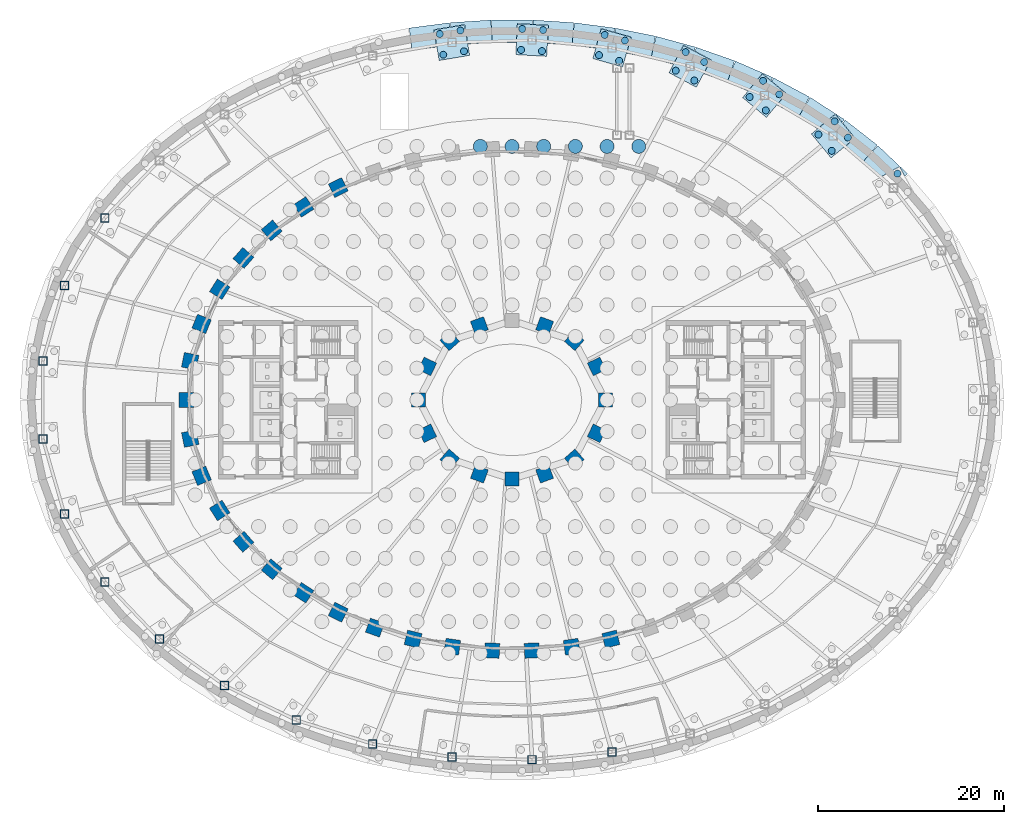
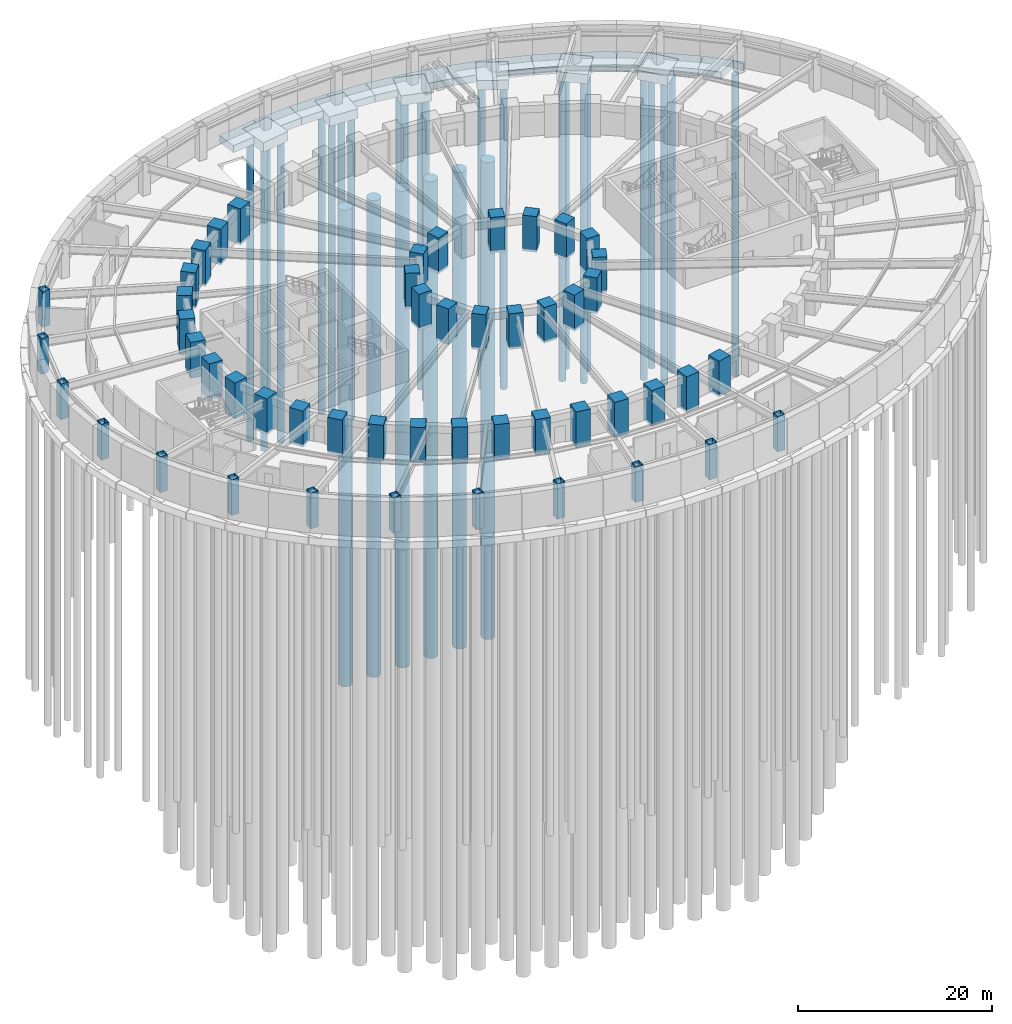
# One storey, part 5 of 19: 50 columns, 31 piles, 19 footings.
"""IFC4 building model written with IfcOpenShell, lengths in metres."""

from ifc_helpers import new_model, si_unit, direction, frame, origin, origin_2d, place, context, subcontext, project, spatial, polyline, rectangle, hollow_rectangle, circle, outline, extrude, material, layer, layer_set, material_profile, profile_set, type_object, element, save


model = new_model("IFC4")

# Units and contexts
model_context = context("Model", 3, precision=1e-05, world=origin(), true_north=direction((0.0, 1.0)))
body_context = subcontext(model_context, "Body", "Model", "MODEL_VIEW")
ifc_project = project(units=[si_unit("LENGTHUNIT", "METRE"), si_unit("AREAUNIT", "SQUARE_METRE"), si_unit("VOLUMEUNIT", "CUBIC_METRE"), si_unit("PLANEANGLEUNIT", "RADIAN"), si_unit("MASSUNIT", "GRAM", prefix="KILO")], contexts=[model_context])

# Site, building, storey
site_placement = place(None, origin())
site = spatial("IfcSite", under=ifc_project, at=site_placement, CompositionType="ELEMENT")
building_placement = place(site_placement, origin())
building = spatial("IfcBuilding", under=site, at=building_placement, Name="Noorbagh Ring Tower", CompositionType="ELEMENT")
storey_placement = place(building_placement, frame((0.0, 0.0, -8.39990234375)))
storey = spatial("IfcBuildingStorey", under=building, at=storey_placement, Name="B2", CompositionType="ELEMENT", Elevation=-8.39990234375)

# Footings
ifc_material_1 = material(Name="Concrete C50/60", Category="concrete")
ifc_layer_1 = layer(ifc_material_1, 1.199951171875)
ifc_layer_set_1 = layer_set([ifc_layer_1], Name="Concrete C50/60")
footing_type_1 = type_object("IfcFootingType", Name="GND-PODIUM-CAP", PredefinedType="PILE_CAP", material=ifc_layer_set_1)
footing_1_placement = place(storey_placement, frame((0.0, 0.0, -1.5)))
element("IfcFooting", 1, at=footing_1_placement, inside=storey, type_object=footing_type_1, Name="B2/cap/RP-05", PredefinedType="PILE_CAP", context=body_context, shape_type="SweptSolid", body=[
    extrude(outline(polyline([(34.235595703125, 25.970458984375), (36.80126953125, 28.07763671875), (34.694091796875, 30.643310546875), (32.12841796875, 28.5361328125), (34.235595703125, 25.970458984375)])), origin(), (0.0, 0.0, 1.0), 1.199951171875),
])
footing_2_placement = place(storey_placement, frame((0.0, 0.0, -1.5)))
element("IfcFooting", 2, at=footing_2_placement, inside=storey, type_object=footing_type_1, Name="B2/cap/RP-06", PredefinedType="PILE_CAP", context=body_context, shape_type="SweptSolid", body=[
    extrude(outline(polyline([(27.304443359375, 30.310791015625), (29.42431640625, 32.86572265625), (26.869140625, 34.985595703125), (24.749267578125, 32.430419921875), (27.304443359375, 30.310791015625)])), origin(), (0.0, 0.0, 1.0), 1.199951171875),
])
footing_3_placement = place(storey_placement, frame((0.0, 0.0, -1.5)))
element("IfcFooting", 3, at=footing_3_placement, inside=storey, type_object=footing_type_1, Name="B2/cap/RP-07", PredefinedType="PILE_CAP", context=body_context, shape_type="SweptSolid", body=[
    extrude(outline(polyline([(19.77978515625, 33.545654296875), (21.342529296875, 36.474853515625), (18.41357421875, 38.037841796875), (16.8505859375, 35.108642578125), (19.77978515625, 33.545654296875)])), origin(), (0.0, 0.0, 1.0), 1.199951171875),
])
footing_4_placement = place(storey_placement, frame((0.0, 0.0, -1.5)))
element("IfcFooting", 4, at=footing_4_placement, inside=storey, type_object=footing_type_1, Name="B2/cap/RP-08", PredefinedType="PILE_CAP", context=body_context, shape_type="SweptSolid", body=[
    extrude(outline(polyline([(11.8681640625, 35.720947265625), (12.77490234375, 38.914794921875), (9.5810546875, 39.821533203125), (8.67431640625, 36.627685546875), (11.8681640625, 35.720947265625)])), origin(), (0.0, 0.0, 1.0), 1.199951171875),
])
footing_5_placement = place(storey_placement, frame((0.0, 0.0, -1.5)))
element("IfcFooting", 5, at=footing_5_placement, inside=storey, type_object=footing_type_1, Name="B2/cap/RP-09", PredefinedType="PILE_CAP", context=body_context, shape_type="SweptSolid", body=[
    extrude(outline(polyline([(3.719482421875, 36.8642578125), (3.904541015625, 40.17919921875), (0.589599609375, 40.364013671875), (0.404541015625, 37.04931640625), (3.719482421875, 36.8642578125)])), origin(), (0.0, 0.0, 1.0), 1.199951171875),
])
footing_6_placement = place(storey_placement, frame((0.0, 0.0, -1.5)))
element("IfcFooting", 6, at=footing_6_placement, inside=storey, type_object=footing_type_1, Name="B2/cap/RP-10", PredefinedType="PILE_CAP", context=body_context, shape_type="SweptSolid", body=[
    extrude(outline(polyline([(-4.54150390625, 36.97216796875), (-5.0927734375, 40.24609375), (-8.36669921875, 39.695068359375), (-7.8154296875, 36.421142578125), (-4.54150390625, 36.97216796875)])), origin(), (0.0, 0.0, 1.0), 1.199951171875),
])

# Piles
ifc_material_2 = material(Name="Concrete C50/60", Category="concrete")
ifc_material_profile_1 = material_profile(ifc_material_2, circle(Radius=0.375, at=origin_2d()), Name="PILE750")
ifc_profile_set_1 = profile_set([ifc_material_profile_1], Name="Concrete C50/60")
pile_type_1 = type_object("IfcPileType", Name="GND-PODIUM-PILE", PredefinedType="BORED", material=ifc_profile_set_1)
for number, where, z_axis, x_axis, name in (
    (7, (41.364501953125, 24.27978515625, -1.400146484375), (0.0, 0.0, -1.0), (1.0, 0.0, 0.0), "B2/pile/RP-04-4"),
    (8, (34.3095703125, 26.723388671875, -1.400146484375), (0.0, 0.0, -1.0), (1.0, 0.0, 0.0), "B2/pile/RP-05-1"),
    (9, (32.881591796875, 28.462158203125, -1.400146484375), (0.0, 0.0, -1.0), (1.0, 0.0, 0.0), "B2/pile/RP-05-2"),
    (10, (36.04833984375, 28.151611328125, -1.400146484375), (0.0, 0.0, -1.0), (1.0, 0.0, 0.0), "B2/pile/RP-05-3"),
    (11, (34.6201171875, 29.890380859375, -1.400146484375), (0.0, 0.0, -1.0), (1.0, 0.0, 0.0), "B2/pile/RP-05-4"),
    (12, (27.234375, 31.06396484375, -1.400146484375), (0.0, 0.0, -1.0), (1.0, 0.0, 0.0), "B2/pile/RP-06-1"),
    (13, (25.502685546875, 32.500732421875, -1.400146484375), (0.0, 0.0, -1.0), (1.0, 0.0, 0.0), "B2/pile/RP-06-2"),
    (14, (28.6708984375, 32.795654296875, -1.400146484375), (0.0, 0.0, -1.0), (1.0, 0.0, 0.0), "B2/pile/RP-06-3"),
    (15, (26.939453125, 34.232177734375, -1.400146484375), (0.0, 0.0, -1.0), (1.0, 0.0, 0.0), "B2/pile/RP-06-4"),
    (16, (19.5595703125, 34.26953125, -1.400146484375), (0.0, 0.0, -1.0), (1.0, 0.0, 0.0), "B2/pile/RP-07-1"),
    (17, (17.574462890625, 35.328857421875, -1.400146484375), (0.0, 0.0, -1.0), (1.0, 0.0, 0.0), "B2/pile/RP-07-2"),
    (18, (20.61865234375, 36.254638671875, -1.400146484375), (0.0, 0.0, -1.0), (1.0, 0.0, 0.0), "B2/pile/RP-07-3"),
    (19, (18.633544921875, 37.31396484375, -1.400146484375), (0.0, 0.0, -1.0), (1.0, 0.0, 0.0), "B2/pile/RP-07-4"),
    (20, (11.49951171875, 36.3818359375, -1.400146484375), (0.0, 0.0, -1.0), (1.0, 0.0, 0.0), "B2/pile/RP-08-1"),
    (21, (9.335205078125, 36.996337890625, -1.400146484375), (0.0, 0.0, -1.0), (1.0, 0.0, 0.0), "B2/pile/RP-08-2"),
    (22, (12.114013671875, 38.546142578125, -1.400146484375), (0.0, 0.0, -1.0), (1.0, 0.0, 0.0), "B2/pile/RP-08-3"),
    (23, (9.94970703125, 39.160888671875, -1.400146484375), (0.0, 0.0, -1.0), (1.0, 0.0, 0.0), "B2/pile/RP-08-4"),
    (24, (3.215087890625, 37.42822265625, -1.400146484375), (0.0, 0.0, -1.0), (1.0, 0.0, 0.0), "B2/pile/RP-09-1"),
    (25, (0.968505859375, 37.5537109375, -1.400146484375), (0.0, 0.0, -1.0), (1.0, 0.0, 0.0), "B2/pile/RP-09-2"),
    (26, (3.34033203125, 39.6748046875, -1.400146484375), (0.0, 0.0, -1.0), (1.0, 0.0, 0.0), "B2/pile/RP-09-3"),
    (27, (1.093994140625, 39.800048828125, -1.400146484375), (0.0, 0.0, -1.0), (1.0, 0.0, 0.0), "B2/pile/RP-09-4"),
    (28, (-5.157958984375, 37.410888671875, -1.400146484375), (0.0, 0.0, -1.0), (1.0, 0.0, 0.0), "B2/pile/RP-10-1"),
    (29, (-7.376708984375, 37.037353515625, -1.400146484375), (0.0, 0.0, -1.0), (1.0, 0.0, 0.0), "B2/pile/RP-10-2"),
    (30, (-5.531494140625, 39.6298828125, -1.400146484375), (0.0, 0.0, -1.0), (1.0, 0.0, 0.0), "B2/pile/RP-10-3"),
    (31, (-7.750244140625, 39.256103515625, -1.400146484375), (0.0, 0.0, -1.0), (1.0, 0.0, 0.0), "B2/pile/RP-10-4"),
):
    element("IfcPile", number, at=place(storey_placement, frame(where, z_axis=z_axis, x_axis=x_axis)), inside=storey, type_object=pile_type_1, Name=name, PredefinedType="BORED", context=body_context, shape_type="SweptSolid", body=[
        extrude(circle(Radius=0.375, at=origin_2d()), origin(), (0.0, 0.0, 1.0), 38.0),
    ])
ifc_material_3 = material(Name="Concrete C40/50", Category="concrete")
ifc_material_profile_2 = material_profile(ifc_material_3, circle(Radius=0.75, at=origin_2d()), Name="PILE1500")
ifc_profile_set_2 = profile_set([ifc_material_profile_2], Name="Concrete C40/50")
pile_type_2 = type_object("IfcPileType", Name="STR-PILE", PredefinedType="BORED", material=ifc_profile_set_2)
for number, where, z_axis, x_axis, name in (
    (32, (-3.39990234375, 27.199951171875, -4.2001953125), (0.0, 0.0, -1.0), (1.0, 0.0, 0.0), "B2/pile/097"),
    (33, (0.0, 27.199951171875, -4.2001953125), (0.0, 0.0, -1.0), (1.0, 0.0, 0.0), "B2/pile/109"),
    (34, (3.39990234375, 27.199951171875, -4.2001953125), (0.0, 0.0, -1.0), (1.0, 0.0, 0.0), "B2/pile/123"),
    (35, (6.800048828125, 27.199951171875, -4.2001953125), (0.0, 0.0, -1.0), (1.0, 0.0, 0.0), "B2/pile/137"),
    (36, (10.199951171875, 27.199951171875, -4.2001953125), (0.0, 0.0, -1.0), (1.0, 0.0, 0.0), "B2/pile/154"),
    (37, (13.60009765625, 27.199951171875, -4.2001953125), (0.0, 0.0, -1.0), (1.0, 0.0, 0.0), "B2/pile/171"),
):
    element("IfcPile", number, at=place(storey_placement, frame(where, z_axis=z_axis, x_axis=x_axis)), inside=storey, type_object=pile_type_2, Name=name, PredefinedType="BORED", context=body_context, shape_type="SweptSolid", body=[
        extrude(circle(Radius=0.75, at=origin_2d()), origin(), (0.0, 0.0, 1.0), 60.0),
    ])

# Footings
ifc_material_4 = material(Name="Concrete C40/50", Category="concrete")
ifc_layer_2 = layer(ifc_material_4, 0.89990234375)
ifc_layer_set_2 = layer_set([ifc_layer_2], Name="Concrete C40/50")
footing_type_2 = type_object("IfcFootingType", Name="STR-RETAINING-FOOTING", PredefinedType="STRIP_FOOTING", material=ifc_layer_set_2)
footing_7_placement = place(storey_placement, frame((0.0, 0.0, -1.2001953125)))
element("IfcFooting", 38, at=footing_7_placement, inside=storey, type_object=footing_type_2, Name="B2/footing/ret-07", PredefinedType="STRIP_FOOTING", context=body_context, shape_type="SweptSolid", body=[
    extrude(outline(polyline([(39.2783203125, 27.2724609375), (42.441650390625, 24.27734375), (42.163818359375, 23.984130859375), (41.589599609375, 25.01708984375), (41.588623046875, 25.018798828125), (41.58740234375, 25.020263671875), (41.586181640625, 25.021728515625), (41.584716796875, 25.02294921875), (41.5830078125, 25.024169921875), (41.581298828125, 25.025146484375), (41.57958984375, 25.02587890625), (41.57763671875, 25.026611328125), (41.57568359375, 25.027099609375), (41.57373046875, 25.02734375), (41.57177734375, 25.02734375), (41.56982421875, 25.027099609375), (41.56787109375, 25.02685546875), (41.566162109375, 25.0263671875), (41.564208984375, 25.025634765625), (41.5625, 25.02490234375), (39.41943359375, 23.833740234375), (37.628173828125, 25.529541015625), (39.2783203125, 27.2724609375)])), origin(), (0.0, 0.0, 1.0), 0.900146484375),
])
footing_8_placement = place(storey_placement, frame((0.0, 0.0, -1.2001953125)))
element("IfcFooting", 39, at=footing_8_placement, inside=storey, type_object=footing_type_2, Name="B2/footing/ret-08", PredefinedType="STRIP_FOOTING", context=body_context, shape_type="SweptSolid", body=[
    extrude(outline(polyline([(35.75390625, 30.0283203125), (39.191162109375, 27.34716796875), (37.715087890625, 25.45458984375), (35.62451171875, 27.085205078125), (36.81396484375, 28.062255859375), (36.8154296875, 28.0634765625), (36.816650390625, 28.06494140625), (36.81787109375, 28.066650390625), (36.81884765625, 28.068359375), (36.819580078125, 28.070068359375), (36.8203125, 28.072021484375), (36.82080078125, 28.07373046875), (36.821044921875, 28.07568359375), (36.8212890625, 28.07763671875), (36.821044921875, 28.07958984375), (36.82080078125, 28.08154296875), (36.8203125, 28.08349609375), (36.819580078125, 28.085205078125), (36.81884765625, 28.087158203125), (36.81787109375, 28.0888671875), (36.816650390625, 28.09033203125), (35.496337890625, 29.697998046875), (35.75390625, 30.0283203125)])), origin(), (0.0, 0.0, 1.0), 0.900146484375),
])
footing_9_placement = place(storey_placement, frame((0.0, 0.0, -1.2001953125)))
element("IfcFooting", 40, at=footing_9_placement, inside=storey, type_object=footing_type_2, Name="B2/footing/ret-09", PredefinedType="STRIP_FOOTING", context=body_context, shape_type="SweptSolid", body=[
    extrude(outline(polyline([(32.002685546875, 32.45654296875), (35.666748046875, 30.090087890625), (35.449951171875, 29.75439453125), (34.70947265625, 30.656005859375), (34.708251953125, 30.657470703125), (34.706787109375, 30.65869140625), (34.705078125, 30.659912109375), (34.70361328125, 30.660888671875), (34.70166015625, 30.66162109375), (34.699951171875, 30.662353515625), (34.697998046875, 30.662841796875), (34.696044921875, 30.6630859375), (34.694091796875, 30.663330078125), (34.692138671875, 30.6630859375), (34.690185546875, 30.662841796875), (34.688232421875, 30.662353515625), (34.686279296875, 30.66162109375), (34.6845703125, 30.660888671875), (34.682861328125, 30.659912109375), (34.681396484375, 30.65869140625), (32.7802734375, 29.097412109375), (30.700439453125, 30.4404296875), (32.002685546875, 32.45654296875)])), origin(), (0.0, 0.0, 1.0), 0.900146484375),
])
footing_10_placement = place(storey_placement, frame((0.0, 0.0, -1.2001953125)))
element("IfcFooting", 41, at=footing_10_placement, inside=storey, type_object=footing_type_2, Name="B2/footing/ret-10", PredefinedType="STRIP_FOOTING", context=body_context, shape_type="SweptSolid", body=[
    extrude(outline(polyline([(28.06640625, 34.5625), (31.91650390625, 32.507080078125), (30.78662109375, 30.389892578125), (28.436767578125, 31.644287109375), (29.439697265625, 32.85302734375), (29.44091796875, 32.8544921875), (29.44189453125, 32.856201171875), (29.44287109375, 32.85791015625), (29.443603515625, 32.85986328125), (29.44384765625, 32.86181640625), (29.444091796875, 32.86376953125), (29.4443359375, 32.86572265625), (29.4443359375, 32.86767578125), (29.444091796875, 32.86962890625), (29.443603515625, 32.87158203125), (29.44287109375, 32.873291015625), (29.44189453125, 32.875), (29.44091796875, 32.876708984375), (29.43994140625, 32.87841796875), (29.438720703125, 32.8798828125), (29.43701171875, 32.881103515625), (27.865234375, 34.185302734375), (28.06640625, 34.5625)])), origin(), (0.0, 0.0, 1.0), 0.900146484375),
])
footing_11_placement = place(storey_placement, frame((0.0, 0.0, -1.2001953125)))
element("IfcFooting", 42, at=footing_11_placement, inside=storey, type_object=footing_type_2, Name="B2/footing/ret-11", PredefinedType="STRIP_FOOTING", context=body_context, shape_type="SweptSolid", body=[
    extrude(outline(polyline([(23.981201171875, 36.351806640625), (27.98193359375, 34.603271484375), (27.81689453125, 34.2255859375), (26.882080078125, 35.0009765625), (26.88037109375, 35.002197265625), (26.87890625, 35.003173828125), (26.876953125, 35.004150390625), (26.875, 35.0048828125), (26.873291015625, 35.005126953125), (26.871337890625, 35.005615234375), (26.869384765625, 35.005615234375), (26.867431640625, 35.005615234375), (26.865478515625, 35.00537109375), (26.863525390625, 35.0048828125), (26.86181640625, 35.004150390625), (26.85986328125, 35.00341796875), (26.858154296875, 35.002197265625), (26.856689453125, 35.001220703125), (26.855224609375, 35.0), (26.853759765625, 34.998291015625), (25.318603515625, 33.148193359375), (23.02001953125, 34.152587890625), (23.981201171875, 36.351806640625)])), origin(), (0.0, 0.0, 1.0), 0.900146484375),
])
footing_12_placement = place(storey_placement, frame((0.0, 0.0, -1.2001953125)))
element("IfcFooting", 43, at=footing_12_placement, inside=storey, type_object=footing_type_2, Name="B2/footing/ret-12", PredefinedType="STRIP_FOOTING", context=body_context, shape_type="SweptSolid", body=[
    extrude(outline(polyline([(19.777099609375, 37.83154296875), (23.898193359375, 36.384521484375), (23.10302734375, 34.1201171875), (20.581298828125, 35.005615234375), (21.3603515625, 36.465576171875), (21.361083984375, 36.46728515625), (21.36181640625, 36.468994140625), (21.3623046875, 36.470947265625), (21.362548828125, 36.472900390625), (21.362548828125, 36.474853515625), (21.362548828125, 36.476806640625), (21.3623046875, 36.478759765625), (21.36181640625, 36.480712890625), (21.361083984375, 36.482666015625), (21.360107421875, 36.484375), (21.359130859375, 36.486083984375), (21.358154296875, 36.487548828125), (21.356689453125, 36.489013671875), (21.355224609375, 36.490478515625), (21.353759765625, 36.49169921875), (21.35205078125, 36.49267578125), (19.629638671875, 37.41162109375), (19.777099609375, 37.83154296875)])), origin(), (0.0, 0.0, 1.0), 0.900146484375),
])
footing_13_placement = place(storey_placement, frame((0.0, 0.0, -1.2001953125)))
element("IfcFooting", 44, at=footing_13_placement, inside=storey, type_object=footing_type_2, Name="B2/footing/ret-13", PredefinedType="STRIP_FOOTING", context=body_context, shape_type="SweptSolid", body=[
    extrude(outline(polyline([(15.480712890625, 39.0078125), (19.695556640625, 37.85693359375), (19.5810546875, 37.4375), (18.4228515625, 38.055419921875), (18.421142578125, 38.05615234375), (18.419189453125, 38.056884765625), (18.41748046875, 38.057373046875), (18.415283203125, 38.0576171875), (18.413330078125, 38.057861328125), (18.41162109375, 38.0576171875), (18.409423828125, 38.057373046875), (18.40771484375, 38.056884765625), (18.40576171875, 38.05615234375), (18.404052734375, 38.055419921875), (18.40234375, 38.054443359375), (18.40087890625, 38.05322265625), (18.3994140625, 38.052001953125), (18.39794921875, 38.05029296875), (18.396728515625, 38.048828125), (18.395751953125, 38.047119140625), (17.31396484375, 36.019287109375), (14.8486328125, 36.6923828125), (15.480712890625, 39.0078125)])), origin(), (0.0, 0.0, 1.0), 0.900146484375),
])
footing_14_placement = place(storey_placement, frame((0.0, 0.0, -1.2001953125)))
element("IfcFooting", 45, at=footing_14_placement, inside=storey, type_object=footing_type_2, Name="B2/footing/ret-14", PredefinedType="STRIP_FOOTING", context=body_context, shape_type="SweptSolid", body=[
    extrude(outline(polyline([(11.115966796875, 39.885498046875), (15.400634765625, 39.026611328125), (14.928955078125, 36.673583984375), (12.30859375, 37.19873046875), (12.794189453125, 38.9091796875), (12.794677734375, 38.9111328125), (12.794921875, 38.9130859375), (12.794921875, 38.9150390625), (12.794921875, 38.9169921875), (12.79443359375, 38.9189453125), (12.7939453125, 38.9208984375), (12.793212890625, 38.922607421875), (12.79248046875, 38.924560546875), (12.791259765625, 38.926025390625), (12.7900390625, 38.927734375), (12.788818359375, 38.92919921875), (12.787353515625, 38.930419921875), (12.78564453125, 38.931640625), (12.783935546875, 38.9326171875), (12.7822265625, 38.933349609375), (12.780517578125, 38.93408203125), (11.025146484375, 39.432373046875), (11.115966796875, 39.885498046875)])), origin(), (0.0, 0.0, 1.0), 0.900146484375),
])
footing_15_placement = place(storey_placement, frame((0.0, 0.0, -1.2001953125)))
element("IfcFooting", 46, at=footing_15_placement, inside=storey, type_object=footing_type_2, Name="B2/footing/ret-15", PredefinedType="STRIP_FOOTING", context=body_context, shape_type="SweptSolid", body=[
    extrude(outline(polyline([(6.70361328125, 40.46923828125), (11.036865234375, 39.898681640625), (10.977294921875, 39.446044921875), (9.586669921875, 39.8408203125), (9.584716796875, 39.84130859375), (9.582763671875, 39.841552734375), (9.580810546875, 39.841552734375), (9.578857421875, 39.84130859375), (9.576904296875, 39.841064453125), (9.574951171875, 39.840576171875), (9.5732421875, 39.83984375), (9.5712890625, 39.839111328125), (9.569580078125, 39.837890625), (9.568115234375, 39.8369140625), (9.566650390625, 39.83544921875), (9.5654296875, 39.833984375), (9.564208984375, 39.83251953125), (9.563232421875, 39.830810546875), (9.5625, 39.828857421875), (9.56201171875, 39.826904296875), (8.97216796875, 37.75), (6.390380859375, 38.08984375), (6.70361328125, 40.46923828125)])), origin(), (0.0, 0.0, 1.0), 0.900146484375),
])
footing_16_placement = place(storey_placement, frame((0.0, 0.0, -1.2001953125)))
element("IfcFooting", 47, at=footing_16_placement, inside=storey, type_object=footing_type_2, Name="B2/footing/ret-16", PredefinedType="STRIP_FOOTING", context=body_context, shape_type="SweptSolid", body=[
    extrude(outline(polyline([(2.263671875, 40.76171875), (6.625244140625, 40.47705078125), (6.468994140625, 38.08203125), (3.817138671875, 38.255126953125), (3.92431640625, 40.177978515625), (3.92431640625, 40.179931640625), (3.92431640625, 40.181884765625), (3.923828125, 40.183837890625), (3.92333984375, 40.185791015625), (3.922607421875, 40.1875), (3.921630859375, 40.189208984375), (3.920654296875, 40.19091796875), (3.919189453125, 40.1923828125), (3.91796875, 40.19384765625), (3.91650390625, 40.1953125), (3.914794921875, 40.1962890625), (3.9130859375, 40.197265625), (3.911376953125, 40.197998046875), (3.909423828125, 40.198486328125), (3.907470703125, 40.198974609375), (3.905517578125, 40.19921875), (2.23291015625, 40.29248046875), (2.263671875, 40.76171875)])), origin(), (0.0, 0.0, 1.0), 0.900146484375),
])
footing_17_placement = place(storey_placement, frame((0.0, 0.0, -1.2001953125)))
element("IfcFooting", 48, at=footing_17_placement, inside=storey, type_object=footing_type_2, Name="B2/footing/ret-17", PredefinedType="STRIP_FOOTING", context=body_context, shape_type="SweptSolid", body=[
    extrude(outline(polyline([(-2.185546875, 40.76416015625), (2.185546875, 40.76416015625), (2.185546875, 40.295166015625), (0.5908203125, 40.384033203125), (0.588623046875, 40.384033203125), (0.5869140625, 40.3837890625), (0.584716796875, 40.383544921875), (0.5830078125, 40.383056640625), (0.5810546875, 40.38232421875), (0.579345703125, 40.38134765625), (0.577880859375, 40.38037109375), (0.576171875, 40.37890625), (0.57470703125, 40.377685546875), (0.573486328125, 40.376220703125), (0.572509765625, 40.37451171875), (0.571533203125, 40.372802734375), (0.57080078125, 40.37109375), (0.5703125, 40.369140625), (0.56982421875, 40.3671875), (0.569580078125, 40.365234375), (0.4580078125, 38.3642578125), (-2.185546875, 38.3642578125), (-2.185546875, 40.76416015625)])), origin(), (0.0, 0.0, 1.0), 0.900146484375),
])
footing_18_placement = place(storey_placement, frame((0.0, 0.0, -1.2001953125)))
element("IfcFooting", 49, at=footing_18_placement, inside=storey, type_object=footing_type_2, Name="B2/footing/ret-18", PredefinedType="STRIP_FOOTING", context=body_context, shape_type="SweptSolid", body=[
    extrude(outline(polyline([(-6.625244140625, 40.47705078125), (-2.263671875, 40.76171875), (-2.107421875, 38.36669921875), (-4.727294921875, 38.19580078125), (-5.072998046875, 40.24951171875), (-5.073486328125, 40.25146484375), (-5.073974609375, 40.25341796875), (-5.07470703125, 40.255126953125), (-5.07568359375, 40.2568359375), (-5.076904296875, 40.25830078125), (-5.078125, 40.260009765625), (-5.07958984375, 40.26123046875), (-5.0810546875, 40.262451171875), (-5.082763671875, 40.263427734375), (-5.08447265625, 40.264404296875), (-5.086181640625, 40.26513671875), (-5.088134765625, 40.265625), (-5.090087890625, 40.26611328125), (-5.092041015625, 40.26611328125), (-5.093994140625, 40.26611328125), (-5.095947265625, 40.265869140625), (-6.594970703125, 40.013427734375), (-6.625244140625, 40.47705078125)])), origin(), (0.0, 0.0, 1.0), 0.900146484375),
])
footing_19_placement = place(storey_placement, frame((0.0, 0.0, -1.2001953125)))
element("IfcFooting", 50, at=footing_19_placement, inside=storey, type_object=footing_type_2, Name="B2/footing/ret-19", PredefinedType="STRIP_FOOTING", context=body_context, shape_type="SweptSolid", body=[
    extrude(outline(polyline([(-11.036865234375, 39.898681640625), (-6.70361328125, 40.46923828125), (-6.642578125, 40.005615234375), (-8.369873046875, 39.714599609375), (-8.371826171875, 39.71435546875), (-8.373779296875, 39.713623046875), (-8.37548828125, 39.712890625), (-8.377197265625, 39.7119140625), (-8.37890625, 39.710693359375), (-8.38037109375, 39.70947265625), (-8.381591796875, 39.7080078125), (-8.3828125, 39.70654296875), (-8.3837890625, 39.704833984375), (-8.384765625, 39.703125), (-8.385498046875, 39.701416015625), (-8.385986328125, 39.699462890625), (-8.386474609375, 39.697509765625), (-8.38671875, 39.695556640625), (-8.386474609375, 39.693603515625), (-8.38623046875, 39.691650390625), (-8.0791015625, 37.867431640625), (-10.723388671875, 37.519287109375), (-11.036865234375, 39.898681640625)])), origin(), (0.0, 0.0, 1.0), 0.900146484375),
])

# Columns
ifc_material_5 = material(Name="Steel S355", Category="steel")
ifc_material_profile_3 = material_profile(ifc_material_5, hollow_rectangle(XDim=0.89990234375, YDim=0.89990234375, WallThickness=0.044921875, at=origin_2d()), Name="BOX900x900x45")
ifc_profile_set_3 = profile_set([ifc_material_profile_3], Name="Steel S355")
column_type_1 = type_object("IfcColumnType", Name="GND-COL-BOX900x900x45", PredefinedType="COLUMN", material=ifc_profile_set_3)
for number, where, z_axis, x_axis, name in (
    (51, (-43.6962890625, 19.52490234375, -0.300048828125), (0.0, 0.0, 1.0), (1.0, 0.0, 0.0), "B2/col/RP-15"),
    (52, (-48.0224609375, 12.266845703125, -0.300048828125), (0.0, 0.0, 1.0), (1.0, 0.0, 0.0), "B2/col/RP-16"),
    (53, (-50.34716796875, 4.191650390625, -0.300048828125), (0.0, 0.0, 1.0), (1.0, 0.0, 0.0), "B2/col/RP-17"),
    (54, (-50.34716796875, -4.191650390625, -0.300048828125), (0.0, 0.0, 1.0), (1.0, 0.0, 0.0), "B2/col/RP-18"),
    (55, (-48.0224609375, -12.266845703125, -0.300048828125), (0.0, 0.0, 1.0), (1.0, 0.0, 0.0), "B2/col/RP-19"),
    (56, (-43.6962890625, -19.52490234375, -0.300048828125), (0.0, 0.0, 1.0), (1.0, 0.0, 0.0), "B2/col/RP-20"),
    (57, (-37.8330078125, -25.679931640625, -0.300048828125), (0.0, 0.0, 1.0), (1.0, 0.0, 0.0), "B2/col/RP-21"),
    (58, (-30.869384765625, -30.629150390625, -0.300048828125), (0.0, 0.0, 1.0), (1.0, 0.0, 0.0), "B2/col/RP-22"),
    (59, (-23.152587890625, -34.36767578125, -0.300048828125), (0.0, 0.0, 1.0), (1.0, 0.0, 0.0), "B2/col/RP-23"),
    (60, (-14.946044921875, -36.925048828125, -0.300048828125), (0.0, 0.0, 1.0), (1.0, 0.0, 0.0), "B2/col/RP-24"),
    (61, (-6.4541015625, -38.33349609375, -0.300048828125), (0.0, 0.0, 1.0), (1.0, 0.0, 0.0), "B2/col/RP-25"),
    (62, (2.154541015625, -38.6142578125, -0.300048828125), (0.0, 0.0, 1.0), (1.0, 0.0, 0.0), "B2/col/RP-26"),
    (63, (10.724609375, -37.771240234375, -0.300048828125), (0.0, 0.0, 1.0), (1.0, 0.0, 0.0), "B2/col/RP-27"),
):
    element("IfcColumn", number, at=place(storey_placement, frame(where, z_axis=z_axis, x_axis=x_axis)), inside=storey, type_object=column_type_1, Name=name, PredefinedType="COLUMN", context=body_context, shape_type="SweptSolid", body=[
        extrude(hollow_rectangle(XDim=0.89990234375, YDim=0.89990234375, WallThickness=0.044921875, at=origin_2d()), origin(), (0.0, 0.0, 1.0), 4.5),
    ])
ifc_material_6 = material(Name="Concrete C70/85", Category="concrete")
ifc_material_profile_4 = material_profile(ifc_material_6, rectangle(XDim=1.60009765625, YDim=1.60009765625, at=origin_2d()), Name="RC1600x1600")
ifc_profile_set_4 = profile_set([ifc_material_profile_4], Name="Concrete C70/85")
column_type_2 = type_object("IfcColumnType", Name="STR-COL-RC1600x1600-C70-85", PredefinedType="COLUMN", material=ifc_profile_set_4)
for number, where, z_axis, x_axis, name in (
    (64, (-18.646240234375, 22.785400390625, -0.300048828125), (0.0, 0.0, 1.0), (-0.898399080868, -0.439180021741, 0.0), "B2/col/R1-17"),
    (65, (-22.362060546875, 20.699951171875, -0.300048828125), (0.0, 0.0, 1.0), (-0.840247639643, -0.542202825586, 0.0), "B2/col/R1-18"),
    (66, (-25.78271484375, 18.180419921875, -0.300048828125), (0.0, 0.0, 1.0), (-0.763035199656, -0.646356932419, 0.0), "B2/col/R1-19"),
    (67, (-28.81884765625, 15.23046875, -0.300048828125), (0.0, 0.0, 1.0), (-0.662635642662, -0.748941923699, 0.0), "B2/col/R1-20"),
    (68, (-31.364990234375, 11.87109375, -0.300048828125), (0.0, 0.0, 1.0), (-0.535190403059, -0.844731455833, 0.0), "B2/col/R1-21"),
    (69, (-33.30517578125, 8.1494140625, -0.300048828125), (0.0, 0.0, 1.0), (-0.378989499959, -0.925400971969, 0.0), "B2/col/R1-22"),
    (70, (-34.52685546875, 4.150634765625, -0.300048828125), (0.0, 0.0, 1.0), (-0.19723040178, -0.9803571638, 0.0), "B2/col/R1-23"),
    (71, (-34.944580078125, 0.0, -0.300048828125), (0.0, 0.0, 1.0), (0.0, -1.0, 0.0), "B2/col/R1-24"),
    (72, (-34.52685546875, -4.150634765625, -0.300048828125), (0.0, 0.0, 1.0), (0.19723040178, -0.9803571638, 0.0), "B2/col/R1-25"),
    (73, (-33.30517578125, -8.1494140625, -0.300048828125), (0.0, 0.0, 1.0), (0.378989499959, -0.925400971969, 0.0), "B2/col/R1-26"),
    (74, (-31.364990234375, -11.87109375, -0.300048828125), (0.0, 0.0, 1.0), (0.535190403059, -0.844731455833, 0.0), "B2/col/R1-27"),
    (75, (-28.81884765625, -15.23046875, -0.300048828125), (0.0, 0.0, 1.0), (0.662635642662, -0.748941923699, 0.0), "B2/col/R1-28"),
    (76, (-25.78271484375, -18.180419921875, -0.300048828125), (0.0, 0.0, 1.0), (0.763035199656, -0.646356932419, 0.0), "B2/col/R1-29"),
    (77, (-22.362060546875, -20.699951171875, -0.300048828125), (0.0, 0.0, 1.0), (0.840247639643, -0.542202825586, 0.0), "B2/col/R1-30"),
    (78, (-18.646240234375, -22.785400390625, -0.300048828125), (0.0, 0.0, 1.0), (0.898399080868, -0.439180021741, 0.0), "B2/col/R1-31"),
    (79, (-14.70947265625, -24.44091796875, -0.300048828125), (0.0, 0.0, 1.0), (0.941024726094, -0.338337797003, 0.0), "B2/col/R1-32"),
    (80, (-10.61328125, -25.673583984375, -0.300048828125), (0.0, 0.0, 1.0), (0.970829360981, -0.239771457553, 0.0), "B2/col/R1-33"),
    (81, (-6.4091796875, -26.49072265625, -0.300048828125), (0.0, 0.0, 1.0), (0.989713114048, -0.143066249975, 0.0), "B2/col/R1-34"),
    (82, (-2.14306640625, -26.89794921875, -0.300048828125), (0.0, 0.0, 1.0), (0.998868731212, -0.047552684538, 0.0), "B2/col/R1-35"),
    (83, (2.14306640625, -26.89794921875, -0.300048828125), (0.0, 0.0, 1.0), (0.998868731212, 0.047552684538, 0.0), "B2/col/R1-36"),
    (84, (6.4091796875, -26.49072265625, -0.300048828125), (0.0, 0.0, 1.0), (0.989713114048, 0.143066249975, 0.0), "B2/col/R1-37"),
    (85, (10.61328125, -25.673583984375, -0.300048828125), (0.0, 0.0, 1.0), (0.970829360981, 0.239771457553, 0.0), "B2/col/R1-38"),
):
    element("IfcColumn", number, at=place(storey_placement, frame(where, z_axis=z_axis, x_axis=x_axis)), inside=storey, type_object=column_type_2, Name=name, PredefinedType="COLUMN", context=body_context, shape_type="SweptSolid", body=[
        extrude(rectangle(XDim=1.60009765625, YDim=1.60009765625, at=origin_2d()), origin(), (0.0, 0.0, 1.0), 4.5),
    ])
ifc_material_7 = material(Name="Concrete C70/85", Category="concrete")
ifc_material_profile_5 = material_profile(ifc_material_7, rectangle(XDim=1.5, YDim=1.5, at=origin_2d()), Name="RC1500x1500")
ifc_profile_set_5 = profile_set([ifc_material_profile_5], Name="Concrete C70/85")
column_type_3 = type_object("IfcColumnType", Name="STR-ICOL-RC1500x1500-C70-85", PredefinedType="COLUMN", material=ifc_profile_set_5)
for number, where, z_axis, x_axis, name in (
    (86, (10.00830078125, 0.0, -0.300048828125), (0.0, 0.0, 1.0), (0.0, 1.0, 0.0), "B2/col/IR2-W01"),
    (87, (9.07568359375, 3.58837890625, -0.300048828125), (0.0, 0.0, 1.0), (-0.428666979171, 0.903462573087, 0.0), "B2/col/IR2-W03"),
    (88, (6.68212890625, 6.333740234375, -0.300048828125), (0.0, 0.0, 1.0), (-0.75102249095, 0.660276622399, 0.0), "B2/col/IR2-W05"),
    (89, (3.5009765625, 7.967041015625, -0.300048828125), (0.0, 0.0, 1.0), (-0.939019578916, 0.343863679984, 0.0), "B2/col/IR2-W07"),
    (90, (-3.5009765625, 7.967041015625, -0.300048828125), (0.0, 0.0, 1.0), (-0.939019578916, -0.343863679984, 0.0), "B2/col/IR2-W11"),
    (91, (-6.68212890625, 6.333740234375, -0.300048828125), (0.0, 0.0, 1.0), (-0.75102249095, -0.660276622399, 0.0), "B2/col/IR2-W13"),
    (92, (-9.07568359375, 3.58837890625, -0.300048828125), (0.0, 0.0, 1.0), (-0.428666979171, -0.903462573087, 0.0), "B2/col/IR2-W15"),
    (93, (-10.00830078125, 0.0, -0.300048828125), (0.0, 0.0, 1.0), (0.0, -1.0, 0.0), "B2/col/IR2-W17"),
    (94, (-9.07568359375, -3.58837890625, -0.300048828125), (0.0, 0.0, 1.0), (0.428666979171, -0.903462573087, 0.0), "B2/col/IR2-W19"),
    (95, (-6.68212890625, -6.333740234375, -0.300048828125), (0.0, 0.0, 1.0), (0.75102249095, -0.660276622399, 0.0), "B2/col/IR2-W21"),
    (96, (-3.5009765625, -7.967041015625, -0.300048828125), (0.0, 0.0, 1.0), (0.939019578916, -0.343863679984, 0.0), "B2/col/IR2-W23"),
    (97, (0.0, -8.5029296875, -0.300048828125), (0.0, 0.0, 1.0), (1.0, 0.0, 0.0), "B2/col/IR2-W25"),
    (98, (3.5009765625, -7.967041015625, -0.300048828125), (0.0, 0.0, 1.0), (0.939019578916, 0.343863679984, 0.0), "B2/col/IR2-W27"),
    (99, (6.68212890625, -6.333740234375, -0.300048828125), (0.0, 0.0, 1.0), (0.75102249095, 0.660276622399, 0.0), "B2/col/IR2-W29"),
    (100, (9.07568359375, -3.58837890625, -0.300048828125), (0.0, 0.0, 1.0), (0.428666979171, 0.903462573087, 0.0), "B2/col/IR2-W31"),
):
    element("IfcColumn", number, at=place(storey_placement, frame(where, z_axis=z_axis, x_axis=x_axis)), inside=storey, type_object=column_type_3, Name=name, PredefinedType="COLUMN", context=body_context, shape_type="SweptSolid", body=[
        extrude(rectangle(XDim=1.5, YDim=1.5, at=origin_2d()), origin(), (0.0, 0.0, 1.0), 4.5),
    ])

save(model, "model.ifc")
